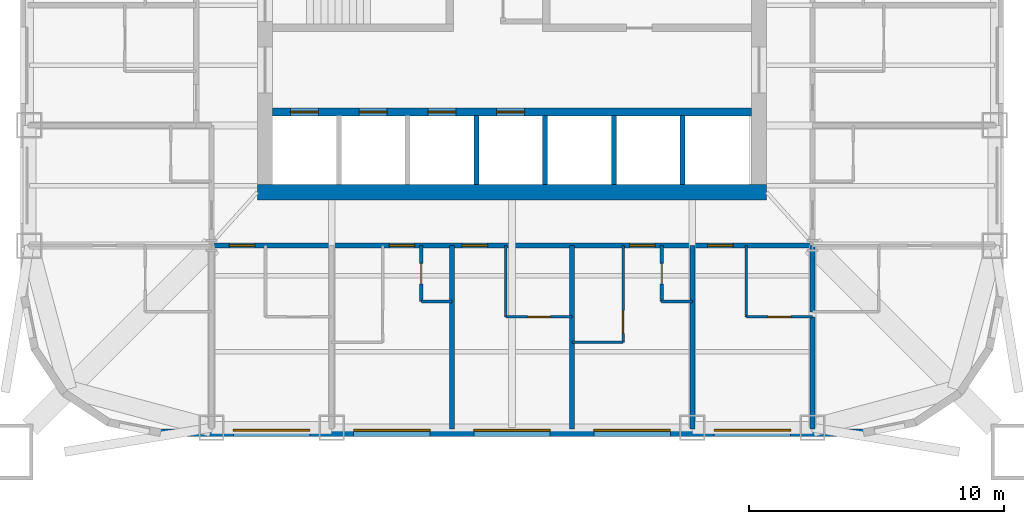
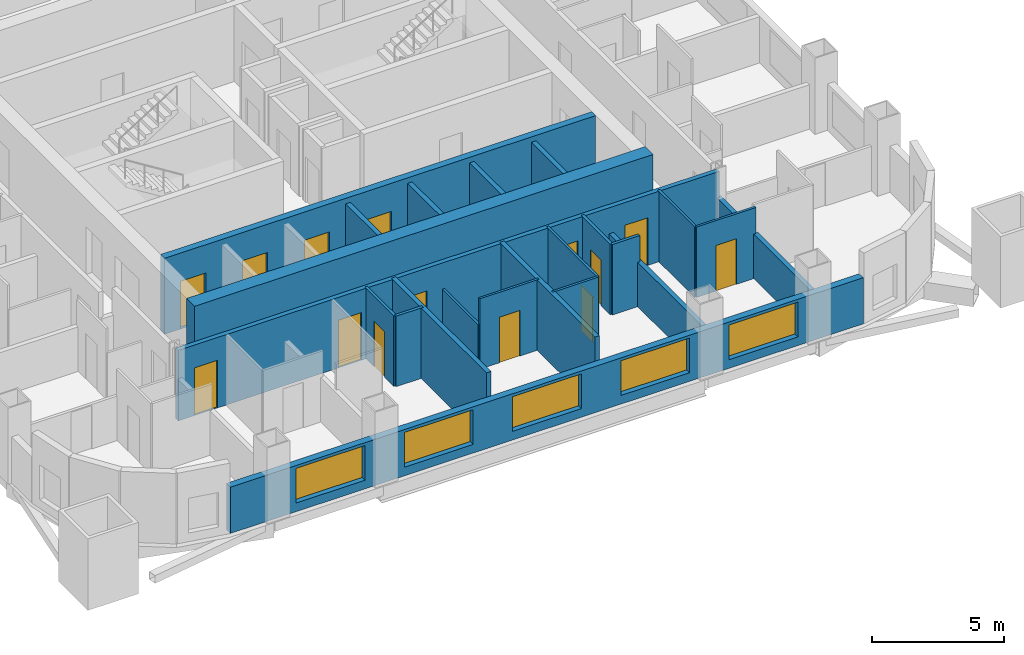
# One storey, part 3 of 9: 23 walls, 14 doors, 5 windows, 19 openings.
"""IFC4 building model written with IfcOpenShell, lengths in metres."""

import ifcopenshell
import ifcopenshell.guid

model = None  # the IFC model being written
_history = None  # IfcOwnerHistory: only IFC2X3 demands one
_inside = {}  # id of a spatial element -> (the spatial element, [elements in it])
_under = {}  # id of a project, library or spatial element -> (it, [spatial elements below it])
_declared = {}  # id of a project -> (the project, [libraries it declares])
_typed = {}  # id of a type object -> (the type object, [elements of that type])
_made_of = {}  # id of a material, layer set ... -> (it, [elements and type objects made of it])


def new_model(schema):
    """Start an empty IFC model of exactly this schema.

    Asked for "IFC4X3", IfcOpenShell would pick the latest addendum, in which some entities
    have other attributes; the version numbers below select the first issue.
    IFC2X3 requires an IfcOwnerHistory on every rooted entity: one is made here for all.
    """
    global model, _history
    if schema == "IFC4X3":
        model = ifcopenshell.file(schema_version=(4, 3, 0, 0))
    else:
        model = ifcopenshell.file(schema=schema)
    _inside.clear()
    _under.clear()
    _declared.clear()
    _typed.clear()
    _made_of.clear()
    _history = None
    if model.schema == "IFC2X3":
        org = make("IfcOrganization", Name="unknown")
        user = make(
            "IfcPersonAndOrganization",
            ThePerson=make("IfcPerson", FamilyName="unknown"),
            TheOrganization=org,
        )
        app = make(
            "IfcApplication",
            ApplicationDeveloper=org,
            Version="unknown",
            ApplicationFullName="unknown",
            ApplicationIdentifier="unknown",
        )
        _history = make(
            "IfcOwnerHistory",
            OwningUser=user,
            OwningApplication=app,
            ChangeAction="ADDED",
            CreationDate=0,
        )
    return model


def make(cls, **values):
    """One entity of the class cls with the attributes given. An attribute that is None is left unset."""
    return model.create_entity(
        cls, **{name: value for name, value in values.items() if value is not None}
    )


def rooted(cls, **values):
    """An entity with a GlobalId (a new one), such as an element, a storey or a relation."""
    return make(cls, GlobalId=ifcopenshell.guid.new(), OwnerHistory=_history, **values)


def si_unit(unit_type, name, prefix=None):
    """IfcSIUnit, for example si_unit("LENGTHUNIT", "METRE", prefix="MILLI")."""
    return make("IfcSIUnit", UnitType=unit_type, Prefix=prefix, Name=name)


def assignment(units):
    """IfcUnitAssignment: the units of a project."""
    return None if units is None else make("IfcUnitAssignment", Units=units)


def point(xyz):
    """IfcCartesianPoint."""
    return None if xyz is None else make("IfcCartesianPoint", Coordinates=xyz)


def direction(xyz):
    """IfcDirection."""
    return None if xyz is None else make("IfcDirection", DirectionRatios=xyz)


def frame(location, z_axis=None, x_axis=None):
    """IfcAxis2Placement3D, a coordinate frame: its origin and axes. An axis left out is left unset."""
    return make(
        "IfcAxis2Placement3D",
        Location=point(location),
        Axis=direction(z_axis),
        RefDirection=direction(x_axis),
    )


def frame_2d(location, x_axis=None):
    """IfcAxis2Placement2D, a coordinate frame in the plane: its origin and x axis."""
    return make(
        "IfcAxis2Placement2D", Location=point(location), RefDirection=direction(x_axis)
    )


def origin():
    """The frame at (0, 0, 0) with its axes left unset."""
    return frame((0.0, 0.0, 0.0))


def place(relative_to, where):
    """IfcLocalPlacement: puts the frame where relative to a parent placement (None: the world)."""
    return make(
        "IfcLocalPlacement", PlacementRelTo=relative_to, RelativePlacement=where
    )


def context(
    kind, dimensions, precision=None, world=None, true_north=None, identifier=None
):
    """IfcGeometricRepresentationContext, for example the 3D "Model" context."""
    return make(
        "IfcGeometricRepresentationContext",
        ContextIdentifier=identifier,
        ContextType=kind,
        CoordinateSpaceDimension=dimensions,
        Precision=precision,
        WorldCoordinateSystem=world,
        TrueNorth=true_north,
    )


def subcontext(parent, identifier, kind, view, scale=None):
    """IfcGeometricRepresentationSubContext, for example "Body" below "Model"."""
    return make(
        "IfcGeometricRepresentationSubContext",
        ContextIdentifier=identifier,
        ContextType=kind,
        ParentContext=parent,
        TargetScale=scale,
        TargetView=view,
    )


def project(units=None, contexts=None):
    """IfcProject with its units and contexts."""
    return rooted(
        "IfcProject",
        Name="project",
        RepresentationContexts=contexts,
        UnitsInContext=assignment(units),
    )


def spatial(cls, under=None, at=None, **own):
    """A site, building, storey or space (cls), placed at a placement, below another one or the project."""
    s = rooted(cls, ObjectPlacement=at, **own)
    if under is not None:
        _under.setdefault(under.id(), (under, []))[1].append(s)
    return s


def profile(cls, at=None, kind="AREA", **sizes):
    """A parametric profile (cls). Its sizes go by their IFC names, for example OverallWidth=200.0."""
    return make(cls, ProfileType=kind, Position=at, **sizes)


def rectangle(**sizes):
    """IfcRectangleProfileDef."""
    return profile("IfcRectangleProfileDef", **sizes)


def extrude(swept, where, along, depth):
    """IfcExtrudedAreaSolid: the profile swept, set in the frame where, extruded along a direction by depth."""
    return make(
        "IfcExtrudedAreaSolid",
        SweptArea=swept,
        Position=where,
        ExtrudedDirection=direction(along),
        Depth=depth,
    )


def shape(context_of_items, identifier, shape_type, items):
    """IfcShapeRepresentation: the items that make up one representation, for example the "Body"."""
    return make(
        "IfcShapeRepresentation",
        ContextOfItems=context_of_items,
        RepresentationIdentifier=identifier,
        RepresentationType=shape_type,
        Items=items,
    )


def material(Name=None, Category=None):
    """IfcMaterial."""
    return make("IfcMaterial", Name=Name, Category=Category)


def layer(
    of_material, thickness, ventilated=None, Name=None, Category=None, Priority=None
):
    """IfcMaterialLayer: one layer of a wall or slab, of a material (None: an air gap)."""
    return make(
        "IfcMaterialLayer",
        Material=of_material,
        LayerThickness=thickness,
        IsVentilated=ventilated,
        Name=Name,
        Category=Category,
        Priority=Priority,
    )


def layer_set(layers, Name=None):
    """IfcMaterialLayerSet."""
    return make("IfcMaterialLayerSet", MaterialLayers=layers, LayerSetName=Name)


def made_of(thing, what):
    """Note that an element or type object is made of a material, layer set ...; save() writes the relation."""
    if what is not None:
        _made_of.setdefault(what.id(), (what, []))[1].append(thing)
    return thing


def type_object(cls, material=None, **own):
    """A type object (cls), such as IfcWallType, which elements share."""
    return made_of(rooted(cls, **own), material)


def element(
    cls,
    number,
    at=None,
    inside=None,
    cuts=None,
    type_object=None,
    material=None,
    context=None,
    identifier="Body",
    shape_type=None,
    held_by="IfcProductDefinitionShape",
    body=None,
    shapes=None,
    **own,
):
    """One element of the class cls, such as IfcWall. Its Tag is "e" and its number.

    at: its placement. inside: the storey or other place that contains it. cuts: it is an
    opening in that element (IfcRelVoidsElement). A single representation is given by context,
    identifier, shape_type and body (its items); several are given by shapes. held_by: the class
    of the entity that holds the representations. save() writes the other relations.
    """
    e = rooted(cls, Tag="e%d" % number, ObjectPlacement=at, **own)
    if body is not None:
        shapes = [shape(context, identifier, shape_type, body)]
    if shapes is not None:
        e.Representation = make(held_by, Representations=shapes)
    if inside is not None:
        _inside.setdefault(inside.id(), (inside, []))[1].append(e)
    if cuts is not None:
        rooted(
            "IfcRelVoidsElement", RelatingBuildingElement=cuts, RelatedOpeningElement=e
        )
    if type_object is not None:
        _typed.setdefault(type_object.id(), (type_object, []))[1].append(e)
    return made_of(e, material)


def fill(opening, filler):
    """IfcRelFillsElement: the door or window that sits in an opening."""
    return rooted(
        "IfcRelFillsElement",
        RelatingOpeningElement=opening,
        RelatedBuildingElement=filler,
    )


def aggregate(whole, parts):
    """IfcRelAggregates: a whole, such as a stair, and the parts it consists of."""
    return rooted("IfcRelAggregates", RelatingObject=whole, RelatedObjects=parts)


def save(model, path):
    """Write the relations noted so far, then the file.

    IfcRelAggregates (storeys below a building ...), IfcRelContainedInSpatialStructure (elements
    in a storey), IfcRelDefinesByType, IfcRelAssociatesMaterial and IfcRelDeclares: one each for
    every whole, place, type object, material and project.
    """
    for whole, parts in _under.values():
        aggregate(whole, parts)
    for where, things in _inside.values():
        rooted(
            "IfcRelContainedInSpatialStructure",
            RelatedElements=things,
            RelatingStructure=where,
        )
    for kind, things in _typed.values():
        rooted("IfcRelDefinesByType", RelatedObjects=things, RelatingType=kind)
    for what, things in _made_of.values():
        rooted("IfcRelAssociatesMaterial", RelatedObjects=things, RelatingMaterial=what)
    for by, libraries in _declared.values():
        rooted("IfcRelDeclares", RelatingContext=by, RelatedDefinitions=libraries)
    model.write(path)


model = new_model("IFC4")

# Units and contexts
model_context = context("Model", 3, precision=1e-05, world=origin(), true_north=direction((0.0, 1.0)))
body_context = subcontext(model_context, "Body", "Model", "MODEL_VIEW")
ifc_project = project(units=[si_unit("LENGTHUNIT", "METRE"), si_unit("AREAUNIT", "SQUARE_METRE"), si_unit("VOLUMEUNIT", "CUBIC_METRE"), si_unit("PLANEANGLEUNIT", "RADIAN"), si_unit("MASSUNIT", "GRAM", prefix="KILO")], contexts=[model_context])

# Site, building, storey
site_placement = place(None, origin())
site = spatial("IfcSite", under=ifc_project, at=site_placement, CompositionType="ELEMENT")
building_placement = place(site_placement, origin())
building = spatial("IfcBuilding", under=site, at=building_placement, Name="Turquesa Mirador Hotel Tower", CompositionType="ELEMENT")
storey_placement = place(building_placement, frame((0.0, 0.0, 217.800048828125)))
storey = spatial("IfcBuildingStorey", under=building, at=storey_placement, Name="L59", CompositionType="ELEMENT", Elevation=217.800048828125)

# Wall, opening, door
ifc_material_1 = material(Name="Gypsum board on steel studs", Category="steel")
ifc_layer_1 = layer(ifc_material_1, 0.10009765625)
ifc_layer_set_1 = layer_set([ifc_layer_1], Name="BATHROOM WALL 100")
wall_type_1 = type_object("IfcWallType", Name="BATHROOM WALL 100", PredefinedType="PARTITIONING", material=ifc_layer_set_1)
wall_1_placement = place(storey_placement, frame((54.760009765625, 30.39990234375, 0.0), z_axis=(0.0, 0.0, 1.0), x_axis=(1.0, 0.0, 0.0)))
wall_1 = element("IfcWall", 1, at=wall_1_placement, inside=storey, type_object=wall_type_1, Name="Partition L59 013", PredefinedType="PARTITIONING", context=body_context, shape_type="SweptSolid", body=[
    extrude(rectangle(XDim=2.60009765625, YDim=0.10009765625, at=frame_2d((1.300048828125, 0.0))), origin(), (0.0, 0.0, 1.0), 3.25),
])
opening_1_placement = place(wall_1_placement, frame((0.85009765625, 0.0, 0.0)))
opening_1 = element("IfcOpeningElement", 2, at=opening_1_placement, cuts=wall_1, Name="Opening D02", PredefinedType="OPENING", context=body_context, shape_type="SweptSolid", body=[
    extrude(rectangle(XDim=0.89990234375, YDim=2.10009765625, at=frame_2d((0.449951171875, 1.050048828125))), frame((0.0, 0.06005859375, 0.0), z_axis=(0.0, -1.0, 0.0), x_axis=(1.0, 0.0, 0.0)), (0.0, 0.0, 1.0), 0.1201171875),
])
ifc_material_2 = material(Name="Timber veneered door", Category="wood")
door_type_1 = type_object("IfcDoorType", Name="DOOR 900X2100 EN-SUITE", OperationType="SINGLE_SWING_RIGHT", PredefinedType="DOOR", material=ifc_material_2)
door_1_placement = place(opening_1_placement, origin())
door_1 = element("IfcDoor", 3, at=door_1_placement, inside=storey, type_object=door_type_1, Name="Door 5908B", OperationType="SINGLE_SWING_RIGHT", OverallHeight=2.10009765625, OverallWidth=0.89990234375, PredefinedType="DOOR", context=body_context, shape_type="SweptSolid", body=[
    extrude(rectangle(XDim=0.89990234375, YDim=2.10009765625, at=frame_2d((0.449951171875, 1.050048828125))), frame((0.0, 0.02490234375, 0.0), z_axis=(0.0, -1.0, 0.0), x_axis=(1.0, 0.0, 0.0)), (0.0, 0.0, 1.0), 0.050048828125),
])
fill(opening_1, door_1)

wall_2_placement = place(storey_placement, frame((64.199951171875, 30.39990234375, 0.0), z_axis=(0.0, 0.0, 1.0), x_axis=(1.0, 0.0, 0.0)))
wall_2 = element("IfcWall", 4, at=wall_2_placement, inside=storey, type_object=wall_type_1, Name="Partition L59 014", PredefinedType="PARTITIONING", context=body_context, shape_type="SweptSolid", body=[
    extrude(rectangle(XDim=2.60009765625, YDim=0.10009765625, at=frame_2d((1.300048828125, 0.0))), origin(), (0.0, 0.0, 1.0), 3.25),
])
opening_2_placement = place(wall_2_placement, frame((0.85009765625, 0.0, 0.0)))
opening_2 = element("IfcOpeningElement", 5, at=opening_2_placement, cuts=wall_2, Name="Opening D02", PredefinedType="OPENING", context=body_context, shape_type="SweptSolid", body=[
    extrude(rectangle(XDim=0.89990234375, YDim=2.10009765625, at=frame_2d((0.449951171875, 1.050048828125))), frame((0.0, 0.06005859375, 0.0), z_axis=(0.0, -1.0, 0.0), x_axis=(1.0, 0.0, 0.0)), (0.0, 0.0, 1.0), 0.1201171875),
])
door_2_placement = place(opening_2_placement, origin())
door_2 = element("IfcDoor", 6, at=door_2_placement, inside=storey, type_object=door_type_1, Name="Door 5910B", OperationType="SINGLE_SWING_RIGHT", OverallHeight=2.10009765625, OverallWidth=0.89990234375, PredefinedType="DOOR", context=body_context, shape_type="SweptSolid", body=[
    extrude(rectangle(XDim=0.89990234375, YDim=2.10009765625, at=frame_2d((0.449951171875, 1.050048828125))), frame((0.0, 0.02490234375, 0.0), z_axis=(0.0, -1.0, 0.0), x_axis=(1.0, 0.0, 0.0)), (0.0, 0.0, 1.0), 0.050048828125),
])
fill(opening_2, door_2)

# Walls
wall_3_placement = place(storey_placement, frame((57.360107421875, 29.39990234375, 0.0), z_axis=(0.0, 0.0, 1.0), x_axis=(1.0, 0.0, 0.0)))
element("IfcWall", 7, at=wall_3_placement, inside=storey, type_object=wall_type_1, Name="Partition L59 016", PredefinedType="PARTITIONING", context=body_context, shape_type="SweptSolid", body=[
    extrude(rectangle(XDim=2.0, YDim=0.10009765625, at=frame_2d((1.0, 0.0))), origin(), (0.0, 0.0, 1.0), 3.25),
])
wall_4_placement = place(storey_placement, frame((54.760009765625, 30.39990234375, 0.0), z_axis=(0.0, 0.0, 1.0), x_axis=(0.0, 1.0, 0.0)))
element("IfcWall", 8, at=wall_4_placement, inside=storey, type_object=wall_type_1, Name="Partition L59 053", PredefinedType="PARTITIONING", context=body_context, shape_type="SweptSolid", body=[
    extrude(rectangle(XDim=2.800048828125, YDim=0.10009765625, at=frame_2d((1.39990234375, 0.0))), origin(), (0.0, 0.0, 1.0), 2.050048828125),
])

# Wall, opening, door
wall_5_placement = place(storey_placement, frame((59.360107421875, 29.39990234375, 0.0), z_axis=(0.0, 0.0, 1.0), x_axis=(0.0, 1.0, 0.0)))
wall_5 = element("IfcWall", 9, at=wall_5_placement, inside=storey, type_object=wall_type_1, Name="Partition L59 095", PredefinedType="PARTITIONING", context=body_context, shape_type="SweptSolid", body=[
    extrude(rectangle(XDim=3.800048828125, YDim=0.10009765625, at=frame_2d((1.89990234375, 0.0))), origin(), (0.0, 0.0, 1.0), 3.25),
])
opening_3_placement = place(wall_5_placement, frame((0.35009765625, 0.0, 0.0)))
opening_3 = element("IfcOpeningElement", 10, at=opening_3_placement, cuts=wall_5, Name="Opening D02", PredefinedType="OPENING", context=body_context, shape_type="SweptSolid", body=[
    extrude(rectangle(XDim=0.89990234375, YDim=2.10009765625, at=frame_2d((0.449951171875, 1.050048828125))), frame((0.0, 0.06005859375, 0.0), z_axis=(0.0, -1.0, 0.0), x_axis=(1.0, 0.0, 0.0)), (0.0, 0.0, 1.0), 0.1201171875),
])
door_3_placement = place(opening_3_placement, origin())
door_3 = element("IfcDoor", 11, at=door_3_placement, inside=storey, type_object=door_type_1, Name="Door 5909B", OperationType="SINGLE_SWING_RIGHT", OverallHeight=2.10009765625, OverallWidth=0.89990234375, PredefinedType="DOOR", context=body_context, shape_type="SweptSolid", body=[
    extrude(rectangle(XDim=0.89990234375, YDim=2.10009765625, at=frame_2d((0.449951171875, 1.050048828125))), frame((0.0, 0.02490234375, 0.0), z_axis=(0.0, -1.0, 0.0), x_axis=(1.0, 0.0, 0.0)), (0.0, 0.0, 1.0), 0.050048828125),
])
fill(opening_3, door_3)

# Wall
wall_6_placement = place(storey_placement, frame((64.199951171875, 30.39990234375, 0.0), z_axis=(0.0, 0.0, 1.0), x_axis=(0.0, 1.0, 0.0)))
element("IfcWall", 12, at=wall_6_placement, inside=storey, type_object=wall_type_1, Name="Partition L59 100", PredefinedType="PARTITIONING", context=body_context, shape_type="SweptSolid", body=[
    extrude(rectangle(XDim=2.800048828125, YDim=0.10009765625, at=frame_2d((1.39990234375, 0.0))), origin(), (0.0, 0.0, 1.0), 3.25),
])

# Wall, openings, doors
ifc_material_3 = material(Name="Concrete C50/60", Category="concrete")
ifc_layer_2 = layer(ifc_material_3, 0.300048828125)
ifc_layer_set_2 = layer_set([ifc_layer_2], Name="CORE INNER WALL 300")
wall_type_2 = type_object("IfcWallType", Name="CORE INNER WALL 300", PredefinedType="SHEAR", material=ifc_layer_set_2)
wall_7_placement = place(storey_placement, frame((45.60009765625, 38.449951171875, 0.0), z_axis=(0.0, 0.0, 1.0), x_axis=(1.0, 0.0, 0.0)))
wall_7 = element("IfcWall", 13, at=wall_7_placement, inside=storey, type_object=wall_type_2, Name="Core wall SL", PredefinedType="SHEAR", context=body_context, shape_type="SweptSolid", body=[
    extrude(rectangle(XDim=18.7998046875, YDim=0.300048828125, at=frame_2d((9.39990234375, 0.0))), origin(), (0.0, 0.0, 1.0), 3.5),
])
opening_4_placement = place(wall_7_placement, frame((0.699951171875, 0.0, 0.0)))
opening_4 = element("IfcOpeningElement", 14, at=opening_4_placement, cuts=wall_7, Name="Opening LD", PredefinedType="OPENING", context=body_context, shape_type="SweptSolid", body=[
    extrude(rectangle(XDim=1.10009765625, YDim=2.199951171875, at=frame_2d((0.550048828125, 1.10009765625))), frame((0.0, 0.159912109375, 0.0), z_axis=(0.0, -1.0, 0.0), x_axis=(1.0, 0.0, 0.0)), (0.0, 0.0, 1.0), 0.320068359375),
])
opening_5_placement = place(wall_7_placement, frame((3.39990234375, 0.0, 0.0)))
opening_5 = element("IfcOpeningElement", 15, at=opening_5_placement, cuts=wall_7, Name="Opening LD", PredefinedType="OPENING", context=body_context, shape_type="SweptSolid", body=[
    extrude(rectangle(XDim=1.10009765625, YDim=2.199951171875, at=frame_2d((0.550048828125, 1.10009765625))), frame((0.0, 0.159912109375, 0.0), z_axis=(0.0, -1.0, 0.0), x_axis=(1.0, 0.0, 0.0)), (0.0, 0.0, 1.0), 0.320068359375),
])
opening_6_placement = place(wall_7_placement, frame((6.10009765625, 0.0, 0.0)))
opening_6 = element("IfcOpeningElement", 16, at=opening_6_placement, cuts=wall_7, Name="Opening LD", PredefinedType="OPENING", context=body_context, shape_type="SweptSolid", body=[
    extrude(rectangle(XDim=1.10009765625, YDim=2.199951171875, at=frame_2d((0.550048828125, 1.10009765625))), frame((0.0, 0.159912109375, 0.0), z_axis=(0.0, -1.0, 0.0), x_axis=(1.0, 0.0, 0.0)), (0.0, 0.0, 1.0), 0.320068359375),
])
opening_7_placement = place(wall_7_placement, frame((8.800048828125, 0.0, 0.0)))
opening_7 = element("IfcOpeningElement", 17, at=opening_7_placement, cuts=wall_7, Name="Opening LD", PredefinedType="OPENING", context=body_context, shape_type="SweptSolid", body=[
    extrude(rectangle(XDim=1.10009765625, YDim=2.199951171875, at=frame_2d((0.550048828125, 1.10009765625))), frame((0.0, 0.159912109375, 0.0), z_axis=(0.0, -1.0, 0.0), x_axis=(1.0, 0.0, 0.0)), (0.0, 0.0, 1.0), 0.320068359375),
])
ifc_material_4 = material(Name="Stainless steel lift landing door", Category="steel")
door_type_2 = type_object("IfcDoorType", Name="LIFT LANDING DOOR 1100X2200", OperationType="SLIDING_TO_LEFT", PredefinedType="DOOR", material=ifc_material_4)
door_4_placement = place(opening_4_placement, origin())
door_4 = element("IfcDoor", 18, at=door_4_placement, inside=storey, type_object=door_type_2, Name="Lift B1 landing door", OperationType="SLIDING_TO_LEFT", OverallHeight=2.199951171875, OverallWidth=1.10009765625, PredefinedType="DOOR", context=body_context, shape_type="SweptSolid", body=[
    extrude(rectangle(XDim=1.10009765625, YDim=2.199951171875, at=frame_2d((0.550048828125, 1.10009765625))), frame((0.0, 0.02490234375, 0.0), z_axis=(0.0, -1.0, 0.0), x_axis=(1.0, 0.0, 0.0)), (0.0, 0.0, 1.0), 0.050048828125),
])
fill(opening_4, door_4)
door_5_placement = place(opening_5_placement, origin())
door_5 = element("IfcDoor", 19, at=door_5_placement, inside=storey, type_object=door_type_2, Name="Lift B2 landing door", OperationType="SLIDING_TO_LEFT", OverallHeight=2.199951171875, OverallWidth=1.10009765625, PredefinedType="DOOR", context=body_context, shape_type="SweptSolid", body=[
    extrude(rectangle(XDim=1.10009765625, YDim=2.199951171875, at=frame_2d((0.550048828125, 1.10009765625))), frame((0.0, 0.02490234375, 0.0), z_axis=(0.0, -1.0, 0.0), x_axis=(1.0, 0.0, 0.0)), (0.0, 0.0, 1.0), 0.050048828125),
])
fill(opening_5, door_5)
door_6_placement = place(opening_6_placement, origin())
door_6 = element("IfcDoor", 20, at=door_6_placement, inside=storey, type_object=door_type_2, Name="Lift B3 landing door", OperationType="SLIDING_TO_LEFT", OverallHeight=2.199951171875, OverallWidth=1.10009765625, PredefinedType="DOOR", context=body_context, shape_type="SweptSolid", body=[
    extrude(rectangle(XDim=1.10009765625, YDim=2.199951171875, at=frame_2d((0.550048828125, 1.10009765625))), frame((0.0, 0.02490234375, 0.0), z_axis=(0.0, -1.0, 0.0), x_axis=(1.0, 0.0, 0.0)), (0.0, 0.0, 1.0), 0.050048828125),
])
fill(opening_6, door_6)
door_7_placement = place(opening_7_placement, origin())
door_7 = element("IfcDoor", 21, at=door_7_placement, inside=storey, type_object=door_type_2, Name="Lift B4 landing door", OperationType="SLIDING_TO_LEFT", OverallHeight=2.199951171875, OverallWidth=1.10009765625, PredefinedType="DOOR", context=body_context, shape_type="SweptSolid", body=[
    extrude(rectangle(XDim=1.10009765625, YDim=2.199951171875, at=frame_2d((0.550048828125, 1.10009765625))), frame((0.0, 0.02490234375, 0.0), z_axis=(0.0, -1.0, 0.0), x_axis=(1.0, 0.0, 0.0)), (0.0, 0.0, 1.0), 0.050048828125),
])
fill(opening_7, door_7)

# Wall
ifc_material_5 = material(Name="Concrete C50/60", Category="concrete")
ifc_layer_3 = layer(ifc_material_5, 0.60009765625)
ifc_layer_set_3 = layer_set([ifc_layer_3], Name="CORE WALL 600")
wall_type_3 = type_object("IfcWallType", Name="CORE WALL 600", PredefinedType="SHEAR", material=ifc_layer_set_3)
wall_8_placement = place(storey_placement, frame((45.0, 35.300048828125, 0.0), z_axis=(0.0, 0.0, 1.0), x_axis=(1.0, 0.0, 0.0)))
element("IfcWall", 22, at=wall_8_placement, inside=storey, type_object=wall_type_3, Name="Core wall S", PredefinedType="SHEAR", context=body_context, shape_type="SweptSolid", body=[
    extrude(rectangle(XDim=20.0, YDim=0.60009765625, at=frame_2d((10.0, 0.0))), origin(), (0.0, 0.0, 1.0), 3.5),
])

# Wall, openings, doors
ifc_material_6 = material(Name="Fire-rated gypsum board on steel studs", Category="steel")
ifc_layer_4 = layer(ifc_material_6, 0.199951171875)
ifc_layer_set_4 = layer_set([ifc_layer_4], Name="CORRIDOR WALL 200")
wall_type_4 = type_object("IfcWallType", Name="CORRIDOR WALL 200", PredefinedType="PARTITIONING", material=ifc_layer_set_4)
wall_9_placement = place(storey_placement, frame((43.199951171875, 33.199951171875, 0.0), z_axis=(0.0, 0.0, 1.0), x_axis=(1.0, 0.0, 0.0)))
wall_9 = element("IfcWall", 23, at=wall_9_placement, inside=storey, type_object=wall_type_4, Name="Partition L59 005", PredefinedType="PARTITIONING", context=body_context, shape_type="SweptSolid", body=[
    extrude(rectangle(XDim=23.60009765625, YDim=0.199951171875, at=frame_2d((11.800048828125, 0.0))), origin(), (0.0, 0.0, 1.0), 3.25),
])
opening_8_placement = place(wall_9_placement, frame((0.699951171875, 0.0, 0.0)))
opening_8 = element("IfcOpeningElement", 24, at=opening_8_placement, cuts=wall_9, Name="Opening D01", PredefinedType="OPENING", context=body_context, shape_type="SweptSolid", body=[
    extrude(rectangle(XDim=1.0, YDim=2.199951171875, at=frame_2d((0.5, 1.10009765625))), frame((0.0, 0.10986328125, 0.0), z_axis=(0.0, -1.0, 0.0), x_axis=(1.0, 0.0, 0.0)), (0.0, 0.0, 1.0), 0.219970703125),
])
opening_9_placement = place(wall_9_placement, frame((6.97998046875, 0.0, 0.0)))
opening_9 = element("IfcOpeningElement", 25, at=opening_9_placement, cuts=wall_9, Name="Opening D01", PredefinedType="OPENING", context=body_context, shape_type="SweptSolid", body=[
    extrude(rectangle(XDim=1.0, YDim=2.199951171875, at=frame_2d((0.5, 1.10009765625))), frame((0.0, 0.10986328125, 0.0), z_axis=(0.0, -1.0, 0.0), x_axis=(1.0, 0.0, 0.0)), (0.0, 0.0, 1.0), 0.219970703125),
])
opening_10_placement = place(wall_9_placement, frame((9.840087890625, 0.0, 0.0)))
opening_10 = element("IfcOpeningElement", 26, at=opening_10_placement, cuts=wall_9, Name="Opening D01", PredefinedType="OPENING", context=body_context, shape_type="SweptSolid", body=[
    extrude(rectangle(XDim=1.0, YDim=2.199951171875, at=frame_2d((0.5, 1.10009765625))), frame((0.0, 0.10986328125, 0.0), z_axis=(0.0, -1.0, 0.0), x_axis=(1.0, 0.0, 0.0)), (0.0, 0.0, 1.0), 0.219970703125),
])
opening_11_placement = place(wall_9_placement, frame((16.419921875, 0.0, 0.0)))
opening_11 = element("IfcOpeningElement", 27, at=opening_11_placement, cuts=wall_9, Name="Opening D01", PredefinedType="OPENING", context=body_context, shape_type="SweptSolid", body=[
    extrude(rectangle(XDim=1.0, YDim=2.199951171875, at=frame_2d((0.5, 1.10009765625))), frame((0.0, 0.10986328125, 0.0), z_axis=(0.0, -1.0, 0.0), x_axis=(1.0, 0.0, 0.0)), (0.0, 0.0, 1.0), 0.219970703125),
])
opening_12_placement = place(wall_9_placement, frame((19.47998046875, 0.0, 0.0)))
opening_12 = element("IfcOpeningElement", 28, at=opening_12_placement, cuts=wall_9, Name="Opening D01", PredefinedType="OPENING", context=body_context, shape_type="SweptSolid", body=[
    extrude(rectangle(XDim=1.0, YDim=2.199951171875, at=frame_2d((0.5, 1.10009765625))), frame((0.0, 0.10986328125, 0.0), z_axis=(0.0, -1.0, 0.0), x_axis=(1.0, 0.0, 0.0)), (0.0, 0.0, 1.0), 0.219970703125),
])
ifc_material_7 = material(Name="Timber veneered fire door", Category="wood")
door_type_3 = type_object("IfcDoorType", Name="DOOR 1000X2200 GUEST ENTRY", OperationType="SINGLE_SWING_LEFT", PredefinedType="DOOR", material=ifc_material_7)
door_8_placement = place(opening_8_placement, origin())
door_8 = element("IfcDoor", 29, at=door_8_placement, inside=storey, type_object=door_type_3, Name="Door 5906", OperationType="SINGLE_SWING_LEFT", OverallHeight=2.199951171875, OverallWidth=1.0, PredefinedType="DOOR", context=body_context, shape_type="SweptSolid", body=[
    extrude(rectangle(XDim=1.0, YDim=2.199951171875, at=frame_2d((0.5, 1.10009765625))), frame((0.0, 0.02490234375, 0.0), z_axis=(0.0, -1.0, 0.0), x_axis=(1.0, 0.0, 0.0)), (0.0, 0.0, 1.0), 0.050048828125),
])
fill(opening_8, door_8)
door_9_placement = place(opening_9_placement, origin())
door_9 = element("IfcDoor", 30, at=door_9_placement, inside=storey, type_object=door_type_3, Name="Door 5907", OperationType="SINGLE_SWING_LEFT", OverallHeight=2.199951171875, OverallWidth=1.0, PredefinedType="DOOR", context=body_context, shape_type="SweptSolid", body=[
    extrude(rectangle(XDim=1.0, YDim=2.199951171875, at=frame_2d((0.5, 1.10009765625))), frame((0.0, 0.02490234375, 0.0), z_axis=(0.0, -1.0, 0.0), x_axis=(1.0, 0.0, 0.0)), (0.0, 0.0, 1.0), 0.050048828125),
])
fill(opening_9, door_9)
door_10_placement = place(opening_10_placement, origin())
door_10 = element("IfcDoor", 31, at=door_10_placement, inside=storey, type_object=door_type_3, Name="Door 5908", OperationType="SINGLE_SWING_LEFT", OverallHeight=2.199951171875, OverallWidth=1.0, PredefinedType="DOOR", context=body_context, shape_type="SweptSolid", body=[
    extrude(rectangle(XDim=1.0, YDim=2.199951171875, at=frame_2d((0.5, 1.10009765625))), frame((0.0, 0.02490234375, 0.0), z_axis=(0.0, -1.0, 0.0), x_axis=(1.0, 0.0, 0.0)), (0.0, 0.0, 1.0), 0.050048828125),
])
fill(opening_10, door_10)
door_11_placement = place(opening_11_placement, origin())
door_11 = element("IfcDoor", 32, at=door_11_placement, inside=storey, type_object=door_type_3, Name="Door 5909", OperationType="SINGLE_SWING_LEFT", OverallHeight=2.199951171875, OverallWidth=1.0, PredefinedType="DOOR", context=body_context, shape_type="SweptSolid", body=[
    extrude(rectangle(XDim=1.0, YDim=2.199951171875, at=frame_2d((0.5, 1.10009765625))), frame((0.0, 0.02490234375, 0.0), z_axis=(0.0, -1.0, 0.0), x_axis=(1.0, 0.0, 0.0)), (0.0, 0.0, 1.0), 0.050048828125),
])
fill(opening_11, door_11)
door_12_placement = place(opening_12_placement, origin())
door_12 = element("IfcDoor", 33, at=door_12_placement, inside=storey, type_object=door_type_3, Name="Door 5910", OperationType="SINGLE_SWING_LEFT", OverallHeight=2.199951171875, OverallWidth=1.0, PredefinedType="DOOR", context=body_context, shape_type="SweptSolid", body=[
    extrude(rectangle(XDim=1.0, YDim=2.199951171875, at=frame_2d((0.5, 1.10009765625))), frame((0.0, 0.02490234375, 0.0), z_axis=(0.0, -1.0, 0.0), x_axis=(1.0, 0.0, 0.0)), (0.0, 0.0, 1.0), 0.050048828125),
])
fill(opening_12, door_12)

# Wall, openings, windows
ifc_material_8 = material(Name="Limestone cladding on concrete block", Category="masonry")
ifc_layer_5 = layer(ifc_material_8, 0.300048828125)
ifc_layer_set_5 = layer_set([ifc_layer_5], Name="FACADE WALL 300 STONE SCREEN")
wall_type_5 = type_object("IfcWallType", Name="FACADE WALL 300 STONE SCREEN", PredefinedType="SOLIDWALL", material=ifc_layer_set_5)
wall_10_placement = place(storey_placement, frame((41.199951171875, 25.85009765625, 0.0), z_axis=(0.0, 0.0, 1.0), x_axis=(1.0, 0.0, 0.0)))
wall_10 = element("IfcWall", 34, at=wall_10_placement, inside=storey, type_object=wall_type_5, Name="Facade wall L59 19", PredefinedType="SOLIDWALL", context=body_context, shape_type="SweptSolid", body=[
    extrude(rectangle(XDim=27.60009765625, YDim=0.300048828125, at=frame_2d((13.800048828125, 0.0))), origin(), (0.0, 0.0, 1.0), 2.13232421875),
])
opening_13_placement = place(wall_10_placement, frame((2.860107421875, 0.0, 0.39990234375)))
opening_13 = element("IfcOpeningElement", 35, at=opening_13_placement, cuts=wall_10, Name="Opening WN7", PredefinedType="OPENING", context=body_context, shape_type="SweptSolid", body=[
    extrude(rectangle(XDim=3.0, YDim=1.60009765625, at=frame_2d((1.5, 0.800048828125))), frame((0.0, 0.159912109375, 0.0), z_axis=(0.0, -1.0, 0.0), x_axis=(1.0, 0.0, 0.0)), (0.0, 0.0, 1.0), 0.320068359375),
])
opening_14_placement = place(wall_10_placement, frame((7.580078125, 0.0, 0.39990234375)))
opening_14 = element("IfcOpeningElement", 36, at=opening_14_placement, cuts=wall_10, Name="Opening WN7", PredefinedType="OPENING", context=body_context, shape_type="SweptSolid", body=[
    extrude(rectangle(XDim=3.0, YDim=1.60009765625, at=frame_2d((1.5, 0.800048828125))), frame((0.0, 0.159912109375, 0.0), z_axis=(0.0, -1.0, 0.0), x_axis=(1.0, 0.0, 0.0)), (0.0, 0.0, 1.0), 0.320068359375),
])
opening_15_placement = place(wall_10_placement, frame((12.300048828125, 0.0, 0.39990234375)))
opening_15 = element("IfcOpeningElement", 37, at=opening_15_placement, cuts=wall_10, Name="Opening WN7", PredefinedType="OPENING", context=body_context, shape_type="SweptSolid", body=[
    extrude(rectangle(XDim=3.0, YDim=1.60009765625, at=frame_2d((1.5, 0.800048828125))), frame((0.0, 0.159912109375, 0.0), z_axis=(0.0, -1.0, 0.0), x_axis=(1.0, 0.0, 0.0)), (0.0, 0.0, 1.0), 0.320068359375),
])
opening_16_placement = place(wall_10_placement, frame((17.02001953125, 0.0, 0.39990234375)))
opening_16 = element("IfcOpeningElement", 38, at=opening_16_placement, cuts=wall_10, Name="Opening WN7", PredefinedType="OPENING", context=body_context, shape_type="SweptSolid", body=[
    extrude(rectangle(XDim=3.0, YDim=1.60009765625, at=frame_2d((1.5, 0.800048828125))), frame((0.0, 0.159912109375, 0.0), z_axis=(0.0, -1.0, 0.0), x_axis=(1.0, 0.0, 0.0)), (0.0, 0.0, 1.0), 0.320068359375),
])
opening_17_placement = place(wall_10_placement, frame((21.739990234375, 0.0, 0.39990234375)))
opening_17 = element("IfcOpeningElement", 39, at=opening_17_placement, cuts=wall_10, Name="Opening WN7", PredefinedType="OPENING", context=body_context, shape_type="SweptSolid", body=[
    extrude(rectangle(XDim=3.0, YDim=1.60009765625, at=frame_2d((1.5, 0.800048828125))), frame((0.0, 0.159912109375, 0.0), z_axis=(0.0, -1.0, 0.0), x_axis=(1.0, 0.0, 0.0)), (0.0, 0.0, 1.0), 0.320068359375),
])
ifc_material_9 = material(Name="Ceramic-fritted laminated glass", Category="glass")
window_type = type_object("IfcWindowType", Name="FRITTED WINDOW 3000X1600", PartitioningType="DOUBLE_PANEL_HORIZONTAL", PredefinedType="WINDOW", material=ifc_material_9)
window_1_placement = place(opening_13_placement, origin())
window_1 = element("IfcWindow", 40, at=window_1_placement, inside=storey, type_object=window_type, Name="Window L59", OverallHeight=1.60009765625, OverallWidth=3.0, PartitioningType="SINGLE_PANEL", PredefinedType="WINDOW", context=body_context, shape_type="SweptSolid", body=[
    extrude(rectangle(XDim=3.0, YDim=1.60009765625, at=frame_2d((1.5, 0.800048828125))), frame((0.0, 0.130126953125, 0.0), z_axis=(0.0, -1.0, 0.0), x_axis=(1.0, 0.0, 0.0)), (0.0, 0.0, 1.0), 0.06005859375),
])
fill(opening_13, window_1)
window_2_placement = place(opening_14_placement, origin())
window_2 = element("IfcWindow", 41, at=window_2_placement, inside=storey, type_object=window_type, Name="Window L59", OverallHeight=1.60009765625, OverallWidth=3.0, PartitioningType="SINGLE_PANEL", PredefinedType="WINDOW", context=body_context, shape_type="SweptSolid", body=[
    extrude(rectangle(XDim=3.0, YDim=1.60009765625, at=frame_2d((1.5, 0.800048828125))), frame((0.0, 0.130126953125, 0.0), z_axis=(0.0, -1.0, 0.0), x_axis=(1.0, 0.0, 0.0)), (0.0, 0.0, 1.0), 0.06005859375),
])
fill(opening_14, window_2)
window_3_placement = place(opening_15_placement, origin())
window_3 = element("IfcWindow", 42, at=window_3_placement, inside=storey, type_object=window_type, Name="Window L59", OverallHeight=1.60009765625, OverallWidth=3.0, PartitioningType="SINGLE_PANEL", PredefinedType="WINDOW", context=body_context, shape_type="SweptSolid", body=[
    extrude(rectangle(XDim=3.0, YDim=1.60009765625, at=frame_2d((1.5, 0.800048828125))), frame((0.0, 0.130126953125, 0.0), z_axis=(0.0, -1.0, 0.0), x_axis=(1.0, 0.0, 0.0)), (0.0, 0.0, 1.0), 0.06005859375),
])
fill(opening_15, window_3)
window_4_placement = place(opening_16_placement, origin())
window_4 = element("IfcWindow", 43, at=window_4_placement, inside=storey, type_object=window_type, Name="Window L59", OverallHeight=1.60009765625, OverallWidth=3.0, PartitioningType="SINGLE_PANEL", PredefinedType="WINDOW", context=body_context, shape_type="SweptSolid", body=[
    extrude(rectangle(XDim=3.0, YDim=1.60009765625, at=frame_2d((1.5, 0.800048828125))), frame((0.0, 0.130126953125, 0.0), z_axis=(0.0, -1.0, 0.0), x_axis=(1.0, 0.0, 0.0)), (0.0, 0.0, 1.0), 0.06005859375),
])
fill(opening_16, window_4)
window_5_placement = place(opening_17_placement, origin())
window_5 = element("IfcWindow", 44, at=window_5_placement, inside=storey, type_object=window_type, Name="Window L59", OverallHeight=1.60009765625, OverallWidth=3.0, PartitioningType="SINGLE_PANEL", PredefinedType="WINDOW", context=body_context, shape_type="SweptSolid", body=[
    extrude(rectangle(XDim=3.0, YDim=1.60009765625, at=frame_2d((1.5, 0.800048828125))), frame((0.0, 0.130126953125, 0.0), z_axis=(0.0, -1.0, 0.0), x_axis=(1.0, 0.0, 0.0)), (0.0, 0.0, 1.0), 0.06005859375),
])
fill(opening_17, window_5)

# Walls
ifc_material_10 = material(Name="Fire-rated gypsum shaft wall on steel studs", Category="steel")
ifc_layer_6 = layer(ifc_material_10, 0.199951171875)
ifc_layer_set_6 = layer_set([ifc_layer_6], Name="LIFT SHAFT DIVIDER 200")
wall_type_6 = type_object("IfcWallType", Name="LIFT SHAFT DIVIDER 200", PredefinedType="PARTITIONING", material=ifc_layer_set_6)
for number, where, z_axis, x_axis, name in (
    (45, (53.60009765625, 35.60009765625, 0.0), (0.0, 0.0, 1.0), (0.0, 1.0, 0.0), "Lift shaft divider"),
    (46, (56.300048828125, 35.60009765625, 0.0), (0.0, 0.0, 1.0), (0.0, 1.0, 0.0), "Lift shaft divider"),
    (47, (59.0, 35.60009765625, 0.0), (0.0, 0.0, 1.0), (0.0, 1.0, 0.0), "Lift shaft divider"),
    (48, (61.699951171875, 35.60009765625, 0.0), (0.0, 0.0, 1.0), (0.0, 1.0, 0.0), "Lift shaft divider"),
):
    element("IfcWall", number, at=place(storey_placement, frame(where, z_axis=z_axis, x_axis=x_axis)), inside=storey, type_object=wall_type_6, Name=name, PredefinedType="PARTITIONING", context=body_context, shape_type="SweptSolid", body=[
        extrude(rectangle(XDim=2.699951171875, YDim=0.199951171875, at=frame_2d((1.35009765625, 0.0))), origin(), (0.0, 0.0, 1.0), 3.25),
    ])
ifc_material_11 = material(Name="Fire-rated gypsum board on steel studs", Category="steel")
ifc_layer_7 = layer(ifc_material_11, 0.199951171875)
ifc_layer_set_7 = layer_set([ifc_layer_7], Name="PARTY WALL 200")
wall_type_7 = type_object("IfcWallType", Name="PARTY WALL 200", PredefinedType="PARTITIONING", material=ifc_layer_set_7)
wall_11_placement = place(storey_placement, frame((52.639892578125, 26.0, 0.0), z_axis=(0.0, 0.0, 1.0), x_axis=(0.0, 1.0, 0.0)))
element("IfcWall", 49, at=wall_11_placement, inside=storey, type_object=wall_type_7, Name="Partition L59 070", PredefinedType="PARTITIONING", context=body_context, shape_type="SweptSolid", body=[
    extrude(rectangle(XDim=7.199951171875, YDim=0.199951171875, at=frame_2d((3.60009765625, 0.0))), origin(), (0.0, 0.0, 1.0), 3.25),
])
wall_12_placement = place(storey_placement, frame((66.800048828125, 26.0, 0.0), z_axis=(0.0, 0.0, 1.0), x_axis=(0.0, 1.0, 0.0)))
element("IfcWall", 50, at=wall_12_placement, inside=storey, type_object=wall_type_7, Name="Partition L59 082", PredefinedType="PARTITIONING", context=body_context, shape_type="SweptSolid", body=[
    extrude(rectangle(XDim=4.39990234375, YDim=0.199951171875, at=frame_2d((2.199951171875, 0.0))), origin(), (0.0, 0.0, 1.0), 2.050048828125),
])
wall_13_placement = place(storey_placement, frame((66.800048828125, 30.60009765625, 0.0), z_axis=(0.0, 0.0, 1.0), x_axis=(0.0, 1.0, 0.0)))
element("IfcWall", 51, at=wall_13_placement, inside=storey, type_object=wall_type_7, Name="Partition L59 083", PredefinedType="PARTITIONING", context=body_context, shape_type="SweptSolid", body=[
    extrude(rectangle(XDim=2.599853515625, YDim=0.199951171875, at=frame_2d((1.2998046875, 0.0))), origin(), (0.0, 0.0, 1.0), 2.050048828125),
])
wall_14_placement = place(storey_placement, frame((57.360107421875, 26.0, 0.0), z_axis=(0.0, 0.0, 1.0), x_axis=(0.0, 1.0, 0.0)))
element("IfcWall", 52, at=wall_14_placement, inside=storey, type_object=wall_type_7, Name="Partition L59 093", PredefinedType="PARTITIONING", context=body_context, shape_type="SweptSolid", body=[
    extrude(rectangle(XDim=7.199951171875, YDim=0.199951171875, at=frame_2d((3.60009765625, 0.0))), origin(), (0.0, 0.0, 1.0), 3.25),
])
wall_15_placement = place(storey_placement, frame((62.080078125, 26.0, 0.0), z_axis=(0.0, 0.0, 1.0), x_axis=(0.0, 1.0, 0.0)))
element("IfcWall", 53, at=wall_15_placement, inside=storey, type_object=wall_type_7, Name="Partition L59 098", PredefinedType="PARTITIONING", context=body_context, shape_type="SweptSolid", body=[
    extrude(rectangle(XDim=7.199951171875, YDim=0.199951171875, at=frame_2d((3.60009765625, 0.0))), origin(), (0.0, 0.0, 1.0), 2.050048828125),
])
ifc_material_12 = material(Name="Acoustic gypsum board on steel studs", Category="steel")
ifc_layer_8 = layer(ifc_material_12, 0.125)
ifc_layer_set_8 = layer_set([ifc_layer_8], Name="SUITE PARTITION 125")
wall_type_8 = type_object("IfcWallType", Name="SUITE PARTITION 125", PredefinedType="PARTITIONING", material=ifc_layer_set_8)
wall_16_placement = place(storey_placement, frame((51.43994140625, 31.0, 0.0), z_axis=(0.0, 0.0, 1.0), x_axis=(1.0, 0.0, 0.0)))
element("IfcWall", 54, at=wall_16_placement, inside=storey, type_object=wall_type_8, Name="Partition L59 008", PredefinedType="PARTITIONING", context=body_context, shape_type="SweptSolid", body=[
    extrude(rectangle(XDim=1.199951171875, YDim=0.125, at=frame_2d((0.60009765625, 0.0))), origin(), (0.0, 0.0, 1.0), 3.25),
])
wall_17_placement = place(storey_placement, frame((60.8798828125, 31.0, 0.0), z_axis=(0.0, 0.0, 1.0), x_axis=(1.0, 0.0, 0.0)))
element("IfcWall", 55, at=wall_17_placement, inside=storey, type_object=wall_type_8, Name="Partition L59 009", PredefinedType="PARTITIONING", context=body_context, shape_type="SweptSolid", body=[
    extrude(rectangle(XDim=1.2001953125, YDim=0.125, at=frame_2d((0.60009765625, 0.0))), origin(), (0.0, 0.0, 1.0), 3.25),
])

# Wall, opening, door
wall_18_placement = place(storey_placement, frame((51.43994140625, 31.0, 0.0), z_axis=(0.0, 0.0, 1.0), x_axis=(0.0, 1.0, 0.0)))
wall_18 = element("IfcWall", 56, at=wall_18_placement, inside=storey, type_object=wall_type_8, Name="Partition L59 072", PredefinedType="PARTITIONING", context=body_context, shape_type="SweptSolid", body=[
    extrude(rectangle(XDim=2.199951171875, YDim=0.125, at=frame_2d((1.10009765625, 0.0))), origin(), (0.0, 0.0, 1.0), 3.25),
])
opening_18_placement = place(wall_18_placement, frame((0.699951171875, 0.0, 0.0)))
opening_18 = element("IfcOpeningElement", 57, at=opening_18_placement, cuts=wall_18, Name="Opening D20", PredefinedType="OPENING", context=body_context, shape_type="SweptSolid", body=[
    extrude(rectangle(XDim=0.800048828125, YDim=2.10009765625, at=frame_2d((0.39990234375, 1.050048828125))), frame((0.0, 0.072509765625, 0.0), z_axis=(0.0, -1.0, 0.0), x_axis=(1.0, 0.0, 0.0)), (0.0, 0.0, 1.0), 0.14501953125),
])
ifc_material_13 = material(Name="Timber veneered sliding door", Category="wood")
door_type_4 = type_object("IfcDoorType", Name="DOOR 800X2100 WARDROBE", OperationType="SLIDING_TO_LEFT", PredefinedType="DOOR", material=ifc_material_13)
door_13_placement = place(opening_18_placement, origin())
door_13 = element("IfcDoor", 58, at=door_13_placement, inside=storey, type_object=door_type_4, Name="Door 5907W", OperationType="SLIDING_TO_LEFT", OverallHeight=2.10009765625, OverallWidth=0.800048828125, PredefinedType="DOOR", context=body_context, shape_type="SweptSolid", body=[
    extrude(rectangle(XDim=0.800048828125, YDim=2.10009765625, at=frame_2d((0.39990234375, 1.050048828125))), frame((0.0, 0.02490234375, 0.0), z_axis=(0.0, -1.0, 0.0), x_axis=(1.0, 0.0, 0.0)), (0.0, 0.0, 1.0), 0.050048828125),
])
fill(opening_18, door_13)

wall_19_placement = place(storey_placement, frame((60.8798828125, 31.0, 0.0), z_axis=(0.0, 0.0, 1.0), x_axis=(0.0, 1.0, 0.0)))
wall_19 = element("IfcWall", 59, at=wall_19_placement, inside=storey, type_object=wall_type_8, Name="Partition L59 097", PredefinedType="PARTITIONING", context=body_context, shape_type="SweptSolid", body=[
    extrude(rectangle(XDim=2.199951171875, YDim=0.125, at=frame_2d((1.10009765625, 0.0))), origin(), (0.0, 0.0, 1.0), 3.25),
])
opening_19_placement = place(wall_19_placement, frame((0.699951171875, 0.0, 0.0)))
opening_19 = element("IfcOpeningElement", 60, at=opening_19_placement, cuts=wall_19, Name="Opening D20", PredefinedType="OPENING", context=body_context, shape_type="SweptSolid", body=[
    extrude(rectangle(XDim=0.800048828125, YDim=2.10009765625, at=frame_2d((0.39990234375, 1.050048828125))), frame((0.0, 0.072509765625, 0.0), z_axis=(0.0, -1.0, 0.0), x_axis=(1.0, 0.0, 0.0)), (0.0, 0.0, 1.0), 0.14501953125),
])
door_14_placement = place(opening_19_placement, origin())
door_14 = element("IfcDoor", 61, at=door_14_placement, inside=storey, type_object=door_type_4, Name="Door 5909W", OperationType="SLIDING_TO_LEFT", OverallHeight=2.10009765625, OverallWidth=0.800048828125, PredefinedType="DOOR", context=body_context, shape_type="SweptSolid", body=[
    extrude(rectangle(XDim=0.800048828125, YDim=2.10009765625, at=frame_2d((0.39990234375, 1.050048828125))), frame((0.0, 0.02490234375, 0.0), z_axis=(0.0, -1.0, 0.0), x_axis=(1.0, 0.0, 0.0)), (0.0, 0.0, 1.0), 0.050048828125),
])
fill(opening_19, door_14)

save(model, "model.ifc")
